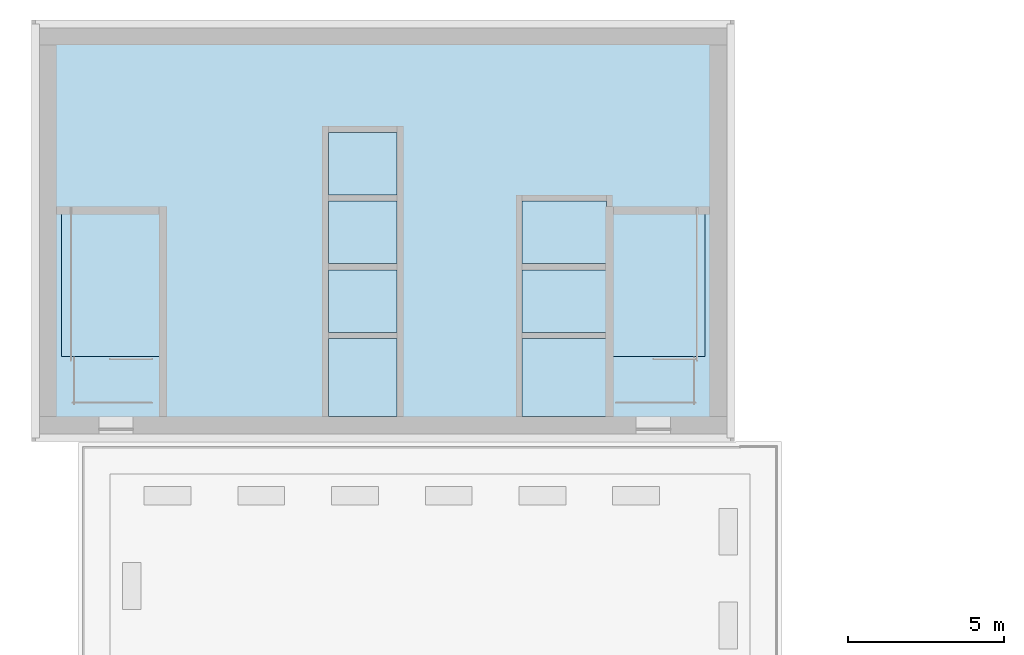
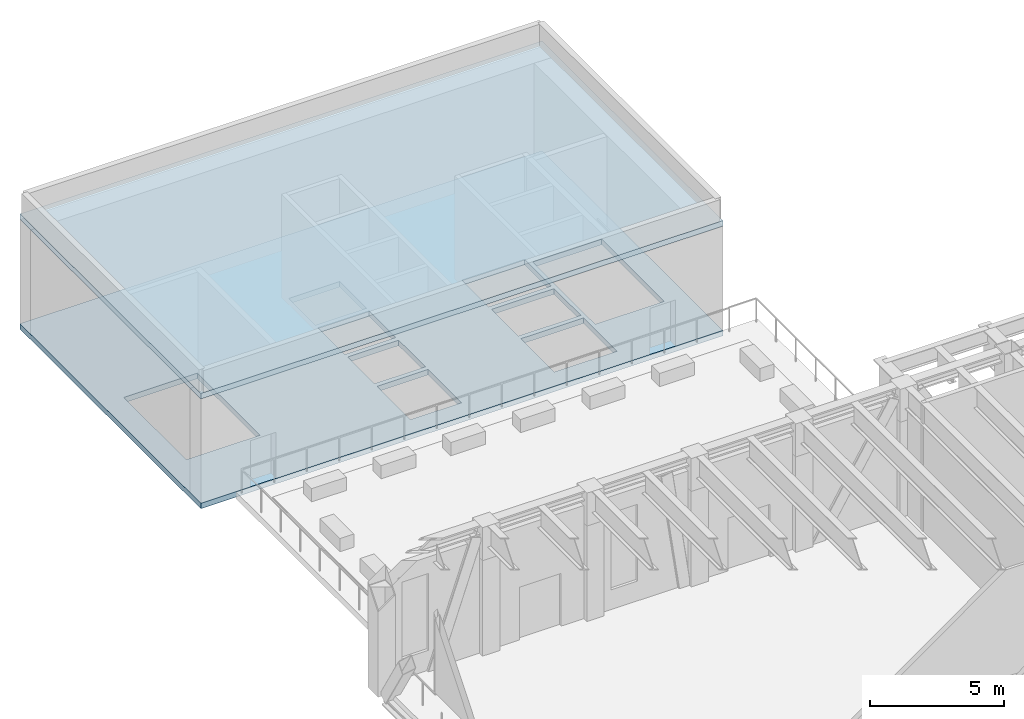
# One storey, part 5 of 20: 2 slabs.
"""IFC4 building model written with IfcOpenShell, lengths in metres."""

from ifc_helpers import new_model, si_unit, direction, frame, origin, place, context, subcontext, project, spatial, polyline, outline, extrude, material, layer, layer_set, type_object, element, save


model = new_model("IFC4")

# Units and contexts
model_context = context("Model", 3, precision=1e-05, world=origin(), true_north=direction((0.0, 1.0)))
body_context = subcontext(model_context, "Body", "Model", "MODEL_VIEW")
ifc_project = project(units=[si_unit("LENGTHUNIT", "METRE"), si_unit("AREAUNIT", "SQUARE_METRE"), si_unit("VOLUMEUNIT", "CUBIC_METRE"), si_unit("PLANEANGLEUNIT", "RADIAN"), si_unit("MASSUNIT", "GRAM", prefix="KILO")], contexts=[model_context])

# Site, building, storey
site_placement = place(None, origin())
site = spatial("IfcSite", under=ifc_project, at=site_placement, CompositionType="ELEMENT")
building_placement = place(site_placement, origin())
building = spatial("IfcBuilding", under=site, at=building_placement, Name="Sennacour Bend Tower", CompositionType="ELEMENT")
storey_placement = place(building_placement, frame((0.0, 0.0, 243.0)))
storey = spatial("IfcBuildingStorey", under=building, at=storey_placement, Name="L56", CompositionType="ELEMENT", Elevation=243.0)

# Slabs
ifc_material = material(Name="Concrete C40/50", Category="concrete")
ifc_layer_1 = layer(ifc_material, 0.25, Name="Concrete C40/50", Category="concrete")
ifc_layer_set_1 = layer_set([ifc_layer_1], Name="Concrete C40/50")
slab_type_1 = type_object("IfcSlabType", Name="Head-house floor slab 250", PredefinedType="FLOOR", material=ifc_layer_set_1)
slab_1_placement = place(storey_placement, frame((0.0, 0.0, -0.25)))
element("IfcSlab", 1, at=slab_1_placement, inside=storey, type_object=slab_type_1, Name="P-L56-B-FLOOR", PredefinedType="FLOOR", context=body_context, shape_type="SweptSolid", body=[
    extrude(outline(polyline([(0.0, 36.0), (22.5, 36.0), (22.5, 49.5), (0.0, 49.5), (0.0, 36.0)]), holes=[polyline([(0.949951171875, 38.72998046875), (4.125, 38.72998046875), (4.125, 43.39990234375), (0.949951171875, 43.39990234375), (0.949951171875, 38.72998046875)]), polyline([(18.574951171875, 38.72998046875), (21.550048828125, 38.72998046875), (21.550048828125, 43.39990234375), (18.574951171875, 43.39990234375), (18.574951171875, 38.72998046875)]), polyline([(9.5, 36.800048828125), (11.699951171875, 36.800048828125), (11.699951171875, 39.300048828125), (9.5, 39.300048828125), (9.5, 36.800048828125)]), polyline([(9.5, 39.5), (11.699951171875, 39.5), (11.699951171875, 41.5), (9.5, 41.5), (9.5, 39.5)]), polyline([(9.5, 41.699951171875), (11.699951171875, 41.699951171875), (11.699951171875, 43.699951171875), (9.5, 43.699951171875), (9.5, 41.699951171875)]), polyline([(9.5, 43.89990234375), (11.699951171875, 43.89990234375), (11.699951171875, 45.89990234375), (9.5, 45.89990234375), (9.5, 43.89990234375)]), polyline([(15.699951171875, 36.800048828125), (18.39990234375, 36.800048828125), (18.39990234375, 39.300048828125), (15.699951171875, 39.300048828125), (15.699951171875, 36.800048828125)]), polyline([(15.699951171875, 39.5), (18.39990234375, 39.5), (18.39990234375, 41.5), (15.699951171875, 41.5), (15.699951171875, 39.5)]), polyline([(15.699951171875, 41.699951171875), (18.39990234375, 41.699951171875), (18.39990234375, 43.699951171875), (15.699951171875, 43.699951171875), (15.699951171875, 41.699951171875)])]), origin(), (0.0, 0.0, 1.0), 0.25),
])
ifc_layer_2 = layer(ifc_material, 0.25, Name="Concrete C40/50", Category="concrete")
ifc_layer_set_2 = layer_set([ifc_layer_2], Name="Concrete C40/50")
slab_type_2 = type_object("IfcSlabType", Name="Roof slab 250", PredefinedType="ROOF", material=ifc_layer_set_2)
slab_2_placement = place(storey_placement, frame((0.0, 0.0, 4.75)))
element("IfcSlab", 2, at=slab_2_placement, inside=storey, type_object=slab_type_2, Name="Roof slab Core B head-house", PredefinedType="ROOF", context=body_context, shape_type="SweptSolid", body=[
    extrude(outline(polyline([(22.5, 36.0), (22.5, 49.5), (0.0, 49.5), (0.0, 36.0), (22.5, 36.0)])), origin(), (0.0, 0.0, 1.0), 0.25),
])

save(model, "model.ifc")
